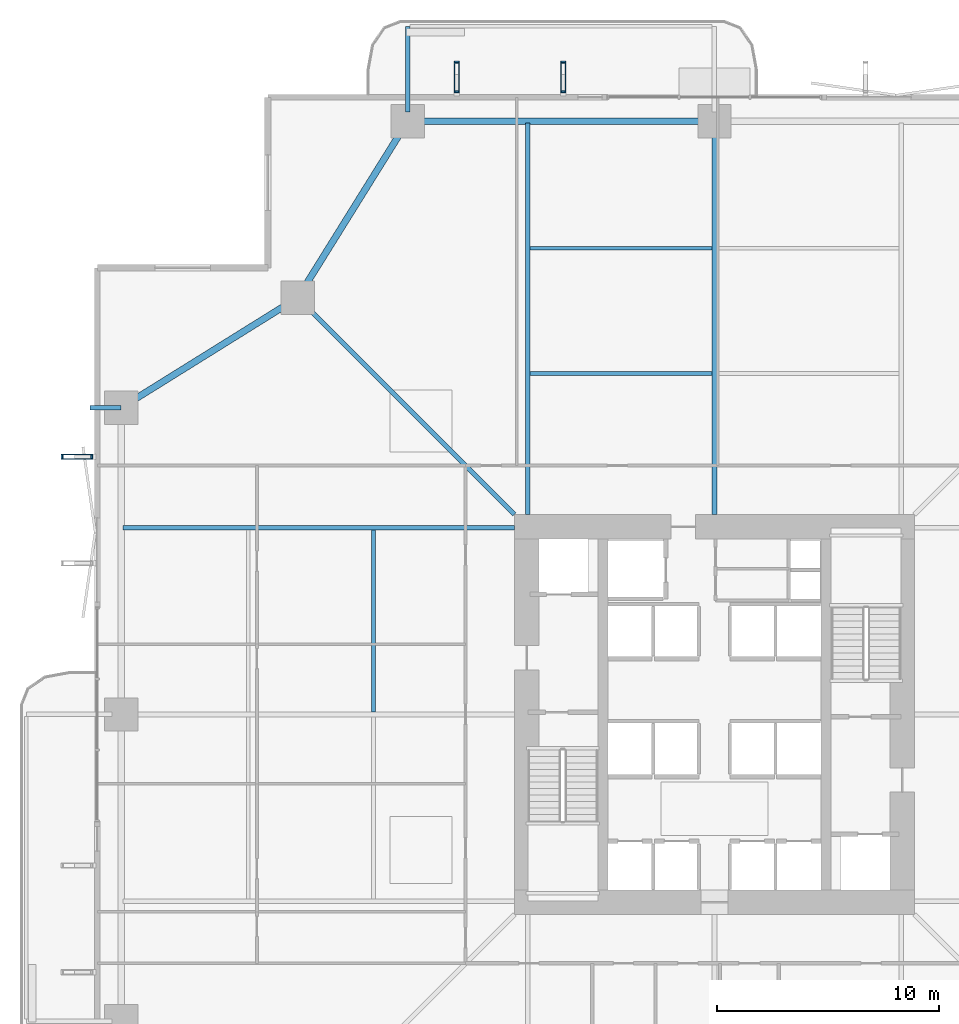
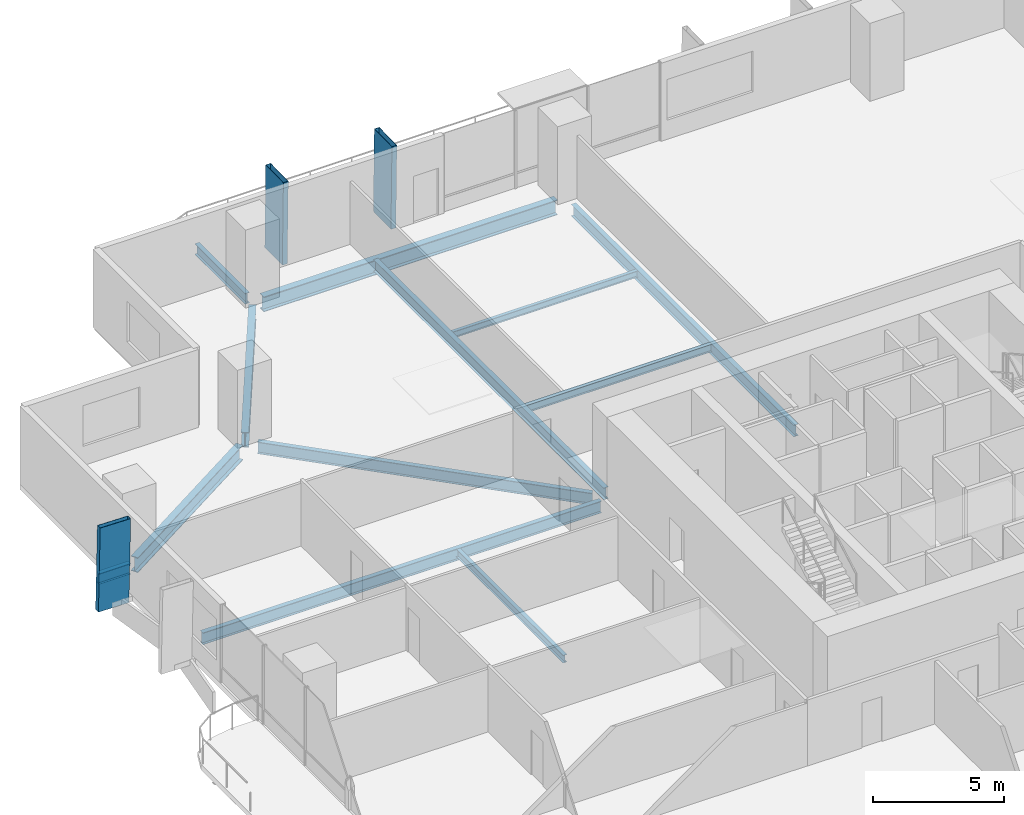
# One storey, part 10 of 24: 12 beams, 3 members.
"""IFC4 building model written with IfcOpenShell, lengths in metres."""

from ifc_helpers import new_model, si_unit, direction, frame, origin, origin_2d, place, context, subcontext, project, spatial, hollow_rectangle, i_section, extrude, material, material_profile, profile_set, type_object, element, save


model = new_model("IFC4")

# Units and contexts
model_context = context("Model", 3, precision=1e-05, world=origin(), true_north=direction((0.0, 1.0)))
body_context = subcontext(model_context, "Body", "Model", "MODEL_VIEW")
ifc_project = project(units=[si_unit("LENGTHUNIT", "METRE"), si_unit("AREAUNIT", "SQUARE_METRE"), si_unit("VOLUMEUNIT", "CUBIC_METRE"), si_unit("PLANEANGLEUNIT", "RADIAN"), si_unit("MASSUNIT", "GRAM", prefix="KILO")], contexts=[model_context])

# Site, building, storey
site_placement = place(None, origin())
site = spatial("IfcSite", under=ifc_project, at=site_placement, CompositionType="ELEMENT")
building_placement = place(site_placement, origin())
building = spatial("IfcBuilding", under=site, at=building_placement, Name="Belovzor Exchange Tower", CompositionType="ELEMENT")
storey_placement = place(building_placement, frame((0.0, 0.0, 80.699951171875)))
storey = spatial("IfcBuildingStorey", under=building, at=storey_placement, Name="L19", CompositionType="ELEMENT", Elevation=80.699951171875)

# Members
ifc_material_1 = material(Name="Extruded Architectural Terracotta on Steel S355 Carrier", Category="masonry")
ifc_material_profile_1 = material_profile(ifc_material_1, hollow_rectangle(XDim=0.219970703125, YDim=1.35009765625, WallThickness=0.013916015625, at=origin_2d()))
ifc_profile_set_1 = profile_set([ifc_material_profile_1], Name="Extruded Architectural Terracotta on Steel S355 Carrier")
member_type = type_object("IfcMemberType", Name="Base Arc Sweeping Terracotta Pylon Fin 1450", PredefinedType="USERDEFINED", material=ifc_profile_set_1)
for number, where, z_axis, x_axis, name in (
    (1, (17.199951171875, 57.528076171875, -0.25), (0.0, -0.020027281305, 0.999799433888), (1.0, 0.0, 0.0), "FIN-TC145 Terracotta Facade Fin L19 N1"),
    (2, (22.0, 57.528076171875, -0.25), (0.0, -0.020027281305, 0.999799433888), (1.0, 0.0, 0.0), "FIN-TC145 Terracotta Facade Fin L19 N2"),
    (3, (0.072021484375, 40.39990234375, -0.25), (0.019964721036, 0.0, 0.999800685094), (0.0, 1.0, 0.0), "FIN-TC145 Terracotta Facade Fin L19 W4"),
):
    element("IfcMember", number, at=place(storey_placement, frame(where, z_axis=z_axis, x_axis=x_axis)), inside=storey, type_object=member_type, Name=name, ObjectType="FIN", PredefinedType="USERDEFINED", context=body_context, shape_type="SweptSolid", body=[
        extrude(hollow_rectangle(XDim=0.219970703125, YDim=1.35009765625, WallThickness=0.013916015625, at=origin_2d()), origin(), (0.0, 0.0, 1.0), 3.90087890625),
    ])

# Beams
ifc_material_2 = material(Name="Steel S355", Category="steel")
ifc_material_profile_2 = material_profile(ifc_material_2, i_section(OverallWidth=0.199951171875, OverallDepth=0.5, WebThickness=0.01025390625, FlangeThickness=0.01611328125, at=origin_2d()))
ifc_profile_set_2 = profile_set([ifc_material_profile_2], Name="Steel S355")
beam_type_1 = type_object("IfcBeamType", Name="Planted Balcony Cantilever Beam IPE 500", PredefinedType="BEAM", material=ifc_profile_set_2)
beam_1_placement = place(storey_placement, frame((15.0, 55.9130859375, -0.5), z_axis=(0.0, 1.0, 0.0), x_axis=(-1.0, 0.0, 0.0)))
element("IfcBeam", 4, at=beam_1_placement, inside=storey, type_object=beam_type_1, Name="BC-500 Planted Balcony Cantilever Beam IPE 500", PredefinedType="BEAM", context=body_context, shape_type="SweptSolid", body=[
    extrude(i_section(OverallWidth=0.199951171875, OverallDepth=0.5, WebThickness=0.01025390625, FlangeThickness=0.01611328125, at=origin_2d()), origin(), (0.0, 0.0, 1.0), 3.849853515625),
])
beam_2_placement = place(storey_placement, frame((2.10009765625, 42.60009765625, -0.5), z_axis=(-1.0, 0.0, 0.0), x_axis=(0.0, -1.0, 0.0)))
element("IfcBeam", 5, at=beam_2_placement, inside=storey, type_object=beam_type_1, Name="BC-500 Planted Balcony Cantilever Beam IPE 500", PredefinedType="BEAM", context=body_context, shape_type="SweptSolid", body=[
    extrude(i_section(OverallWidth=0.199951171875, OverallDepth=0.5, WebThickness=0.01025390625, FlangeThickness=0.01611328125, at=origin_2d()), origin(), (0.0, 0.0, 1.0), 1.400146484375),
])
ifc_material_3 = material(Name="Steel S355", Category="steel")
ifc_material_profile_3 = material_profile(ifc_material_3, i_section(OverallWidth=0.169921875, OverallDepth=0.360107421875, WebThickness=0.008056640625, FlangeThickness=0.0126953125, at=origin_2d()))
ifc_profile_set_3 = profile_set([ifc_material_profile_3], Name="Steel S355")
beam_type_2 = type_object("IfcBeamType", Name="Secondary Infill Floor Joist IPE 360", PredefinedType="BEAM", material=ifc_profile_set_3)
beam_3_placement = place(storey_placement, frame((20.5048828125, 44.14501953125, -0.429931640625), z_axis=(1.0, 0.0, 0.0), x_axis=(0.0, 1.0, 0.0)))
element("IfcBeam", 6, at=beam_3_placement, inside=storey, type_object=beam_type_2, Name="FJ-360 Secondary Infill Floor Joist IPE 360", PredefinedType="BEAM", context=body_context, shape_type="SweptSolid", body=[
    extrude(i_section(OverallWidth=0.169921875, OverallDepth=0.360107421875, WebThickness=0.008056640625, FlangeThickness=0.0126953125, at=origin_2d()), origin(), (0.0, 0.0, 1.0), 8.190185546875),
])
beam_4_placement = place(storey_placement, frame((13.455078125, 28.905029296875, -0.429931640625), z_axis=(0.0, 1.0, 0.0), x_axis=(-1.0, 0.0, 0.0)))
element("IfcBeam", 7, at=beam_4_placement, inside=storey, type_object=beam_type_2, Name="FJ-360 Secondary Infill Floor Joist IPE 360", PredefinedType="BEAM", context=body_context, shape_type="SweptSolid", body=[
    extrude(i_section(OverallWidth=0.169921875, OverallDepth=0.360107421875, WebThickness=0.008056640625, FlangeThickness=0.0126953125, at=origin_2d()), origin(), (0.0, 0.0, 1.0), 8.18994140625),
])
ifc_material_4 = material(Name="Steel S355", Category="steel")
ifc_material_profile_4 = material_profile(ifc_material_4, i_section(OverallWidth=0.14990234375, OverallDepth=0.300048828125, WebThickness=0.007080078125, FlangeThickness=0.0107421875, at=origin_2d()))
ifc_profile_set_4 = profile_set([ifc_material_profile_4], Name="Steel S355")
beam_type_3 = type_object("IfcBeamType", Name="Secondary Trim Floor Joist IPE 300", PredefinedType="BEAM", material=ifc_profile_set_4)
beam_5_placement = place(storey_placement, frame((20.5048828125, 49.784912109375, -0.39990234375), z_axis=(1.0, 0.0, 0.0), x_axis=(0.0, 1.0, 0.0)))
element("IfcBeam", 8, at=beam_5_placement, inside=storey, type_object=beam_type_3, Name="FJ-300 Secondary Trim Floor Joist IPE 300", PredefinedType="BEAM", context=body_context, shape_type="SweptSolid", body=[
    extrude(i_section(OverallWidth=0.14990234375, OverallDepth=0.300048828125, WebThickness=0.007080078125, FlangeThickness=0.0107421875, at=origin_2d()), origin(), (0.0, 0.0, 1.0), 8.190185546875),
])
ifc_material_5 = material(Name="Steel S355", Category="steel")
ifc_material_profile_5 = material_profile(ifc_material_5, i_section(OverallWidth=0.300048828125, OverallDepth=0.699951171875, WebThickness=0.01708984375, FlangeThickness=0.031982421875, at=origin_2d()))
ifc_profile_set_5 = profile_set([ifc_material_profile_5], Name="Steel S355")
beam_type_4 = type_object("IfcBeamType", Name="Zone 1 Primary Perimeter Girder HEB 700", PredefinedType="BEAM", material=ifc_profile_set_5)
beam_6_placement = place(storey_placement, frame((28.386962890625, 55.5, -0.599853515625), z_axis=(-1.0, 0.0, 0.0), x_axis=(0.0, -1.0, 0.0)))
element("IfcBeam", 9, at=beam_6_placement, inside=storey, type_object=beam_type_4, Name="FG-Z1 Zone 1 Primary Perimeter Girder HEB 700", PredefinedType="BEAM", context=body_context, shape_type="SweptSolid", body=[
    extrude(i_section(OverallWidth=0.300048828125, OverallDepth=0.699951171875, WebThickness=0.01708984375, FlangeThickness=0.031982421875, at=origin_2d()), origin(), (0.0, 0.0, 1.0), 12.974853515625),
])
for number, where, z_axis, x_axis, name in (
    (10, (14.781982421875, 55.14990234375, -0.599853515625), (-0.528538629686, -0.848909251292, 0.0), (0.848909251292, -0.528538629686, 0.0), "FG-Z1 Zone 1 Primary Perimeter Girder HEB 700"),
    (11, (9.699951171875, 47.33203125, -0.599853515625), (-0.848909251292, -0.528538629686, 0.0), (0.528538629686, -0.848909251292, 0.0), "FG-Z1 Zone 1 Primary Perimeter Girder HEB 700"),
):
    element("IfcBeam", number, at=place(storey_placement, frame(where, z_axis=z_axis, x_axis=x_axis)), inside=storey, type_object=beam_type_4, Name=name, PredefinedType="BEAM", context=body_context, shape_type="SweptSolid", body=[
        extrude(i_section(OverallWidth=0.300048828125, OverallDepth=0.699951171875, WebThickness=0.01708984375, FlangeThickness=0.031982421875, at=origin_2d()), origin(), (0.0, 0.0, 1.0), 8.540283203125),
    ])
ifc_material_6 = material(Name="Steel S355", Category="steel")
ifc_material_profile_6 = material_profile(ifc_material_6, i_section(OverallWidth=0.2099609375, OverallDepth=0.550048828125, WebThickness=0.010986328125, FlangeThickness=0.01708984375, at=origin_2d()))
ifc_profile_set_6 = profile_set([ifc_material_profile_6], Name="Steel S355")
beam_type_5 = type_object("IfcBeamType", Name="Zone 1 Radial Composite Floor Beam IPE 550", PredefinedType="BEAM", material=ifc_profile_set_6)
beam_7_placement = place(storey_placement, frame((20.39990234375, 37.800048828125, -0.52490234375), z_axis=(0.0, 1.0, 0.0), x_axis=(-1.0, 0.0, 0.0)))
element("IfcBeam", 12, at=beam_7_placement, inside=storey, type_object=beam_type_5, Name="FB-550 Zone 1 Radial Composite Floor Beam IPE 550", PredefinedType="BEAM", context=body_context, shape_type="SweptSolid", body=[
    extrude(i_section(OverallWidth=0.2099609375, OverallDepth=0.550048828125, WebThickness=0.010986328125, FlangeThickness=0.01708984375, at=origin_2d()), origin(), (0.0, 0.0, 1.0), 17.625),
])
beam_8_placement = place(storey_placement, frame((28.800048828125, 37.800048828125, -0.52490234375), z_axis=(0.0, 1.0, 0.0), x_axis=(-1.0, 0.0, 0.0)))
element("IfcBeam", 13, at=beam_8_placement, inside=storey, type_object=beam_type_5, Name="FB-550 Zone 1 Radial Composite Floor Beam IPE 550", PredefinedType="BEAM", context=body_context, shape_type="SweptSolid", body=[
    extrude(i_section(OverallWidth=0.2099609375, OverallDepth=0.550048828125, WebThickness=0.010986328125, FlangeThickness=0.01708984375, at=origin_2d()), origin(), (0.0, 0.0, 1.0), 17.0400390625),
])
beam_9_placement = place(storey_placement, frame((19.800048828125, 37.199951171875, -0.52490234375), z_axis=(-1.0, 0.0, 0.0), x_axis=(0.0, -1.0, 0.0)))
element("IfcBeam", 14, at=beam_9_placement, inside=storey, type_object=beam_type_5, Name="FB-550 Zone 1 Radial Composite Floor Beam IPE 550", PredefinedType="BEAM", context=body_context, shape_type="SweptSolid", body=[
    extrude(i_section(OverallWidth=0.2099609375, OverallDepth=0.550048828125, WebThickness=0.010986328125, FlangeThickness=0.01708984375, at=origin_2d()), origin(), (0.0, 0.0, 1.0), 17.625),
])
beam_10_placement = place(storey_placement, frame((19.800048828125, 37.800048828125, -0.52490234375), z_axis=(-0.707106781187, 0.707106781187, 0.0), x_axis=(-0.707106781187, -0.707106781187, 0.0)))
element("IfcBeam", 15, at=beam_10_placement, inside=storey, type_object=beam_type_5, Name="FB-550 Zone 1 Radial Composite Floor Beam IPE 550", PredefinedType="BEAM", context=body_context, shape_type="SweptSolid", body=[
    extrude(i_section(OverallWidth=0.2099609375, OverallDepth=0.550048828125, WebThickness=0.010986328125, FlangeThickness=0.01708984375, at=origin_2d()), origin(), (0.0, 0.0, 1.0), 13.25830078125),
])

save(model, "model.ifc")
